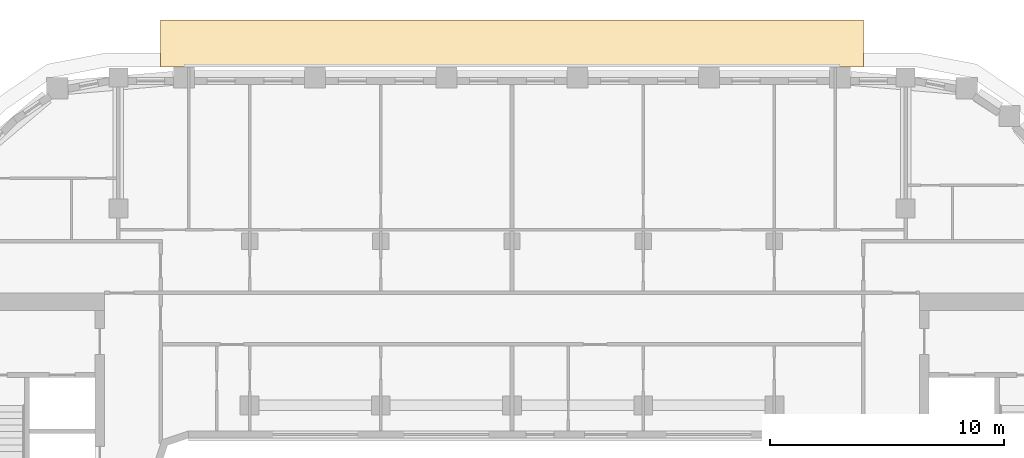
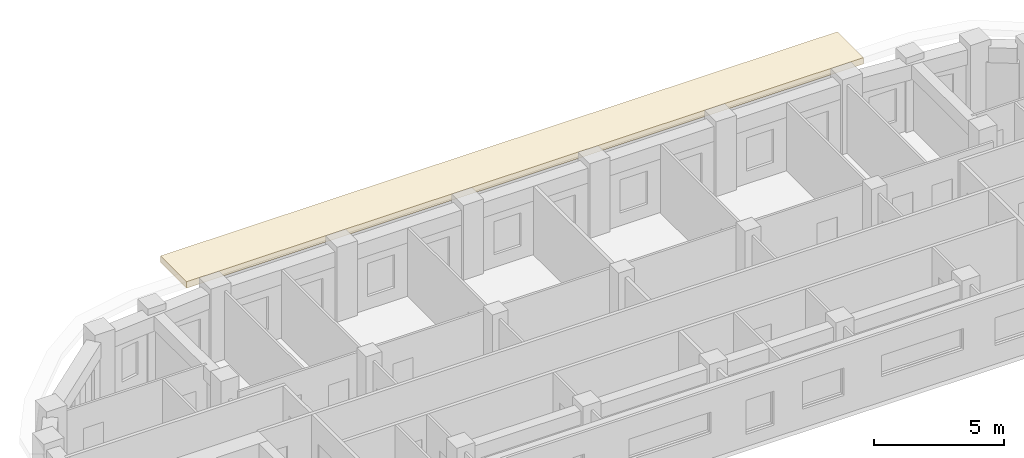
# One storey, part 19 of 20: 1 covering.
"""IFC4 building model written with IfcOpenShell, lengths in metres."""

from ifc_helpers import new_model, si_unit, direction, frame, origin, place, context, subcontext, project, spatial, polyline, outline, extrude, material, layer, layer_set, type_object, element, save


model = new_model("IFC4")

# Units and contexts
model_context = context("Model", 3, precision=1e-05, world=origin(), true_north=direction((0.0, 1.0)))
body_context = subcontext(model_context, "Body", "Model", "MODEL_VIEW")
ifc_project = project(units=[si_unit("LENGTHUNIT", "METRE"), si_unit("AREAUNIT", "SQUARE_METRE"), si_unit("VOLUMEUNIT", "CUBIC_METRE"), si_unit("PLANEANGLEUNIT", "RADIAN"), si_unit("MASSUNIT", "GRAM", prefix="KILO")], contexts=[model_context])

# Site, building, storey
site_placement = place(None, origin())
site = spatial("IfcSite", under=ifc_project, at=site_placement, CompositionType="ELEMENT")
building_placement = place(site_placement, origin())
building = spatial("IfcBuilding", under=site, at=building_placement, Name="Kiln Ring Residences", CompositionType="ELEMENT")
storey_placement = place(building_placement, frame((0.0, 0.0, 206.39990234375)))
storey = spatial("IfcBuildingStorey", under=building, at=storey_placement, Name="L53", CompositionType="ELEMENT", Elevation=206.39990234375)

# Covering
ifc_material = material(Name="Black powder-coated steel", Category="steel")
ifc_layer = layer(ifc_material, 0.300048828125)
ifc_layer_set = layer_set([ifc_layer], Name="SUNSHADE BAND 2000")
covering_type = type_object("IfcCoveringType", Name="SUNSHADE BAND 2000", PredefinedType="CLADDING", material=ifc_layer_set)
covering_placement = place(storey_placement, frame((0.0, 0.0, 3.2001953125)))
element("IfcCovering", 1, at=covering_placement, inside=storey, type_object=covering_type, Name="SUNSHADE BAND L53", PredefinedType="CLADDING", context=body_context, shape_type="SweptSolid", body=[
    extrude(outline(polyline([(15.0, 24.85009765625), (-15.0, 24.85009765625), (-15.0, 22.85009765625), (15.0, 22.85009765625), (15.0, 24.85009765625)])), origin(), (0.0, 0.0, 1.0), 0.2998046875),
])

save(model, "model.ifc")
